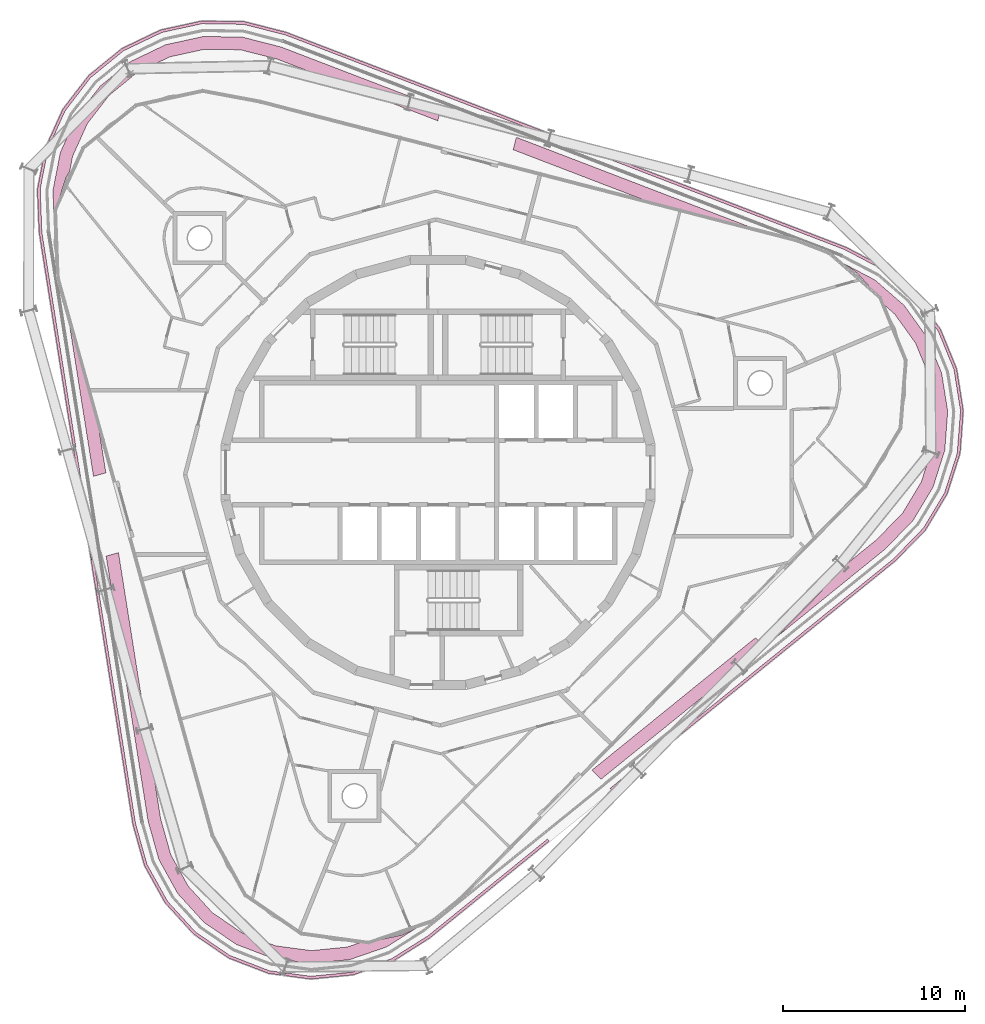
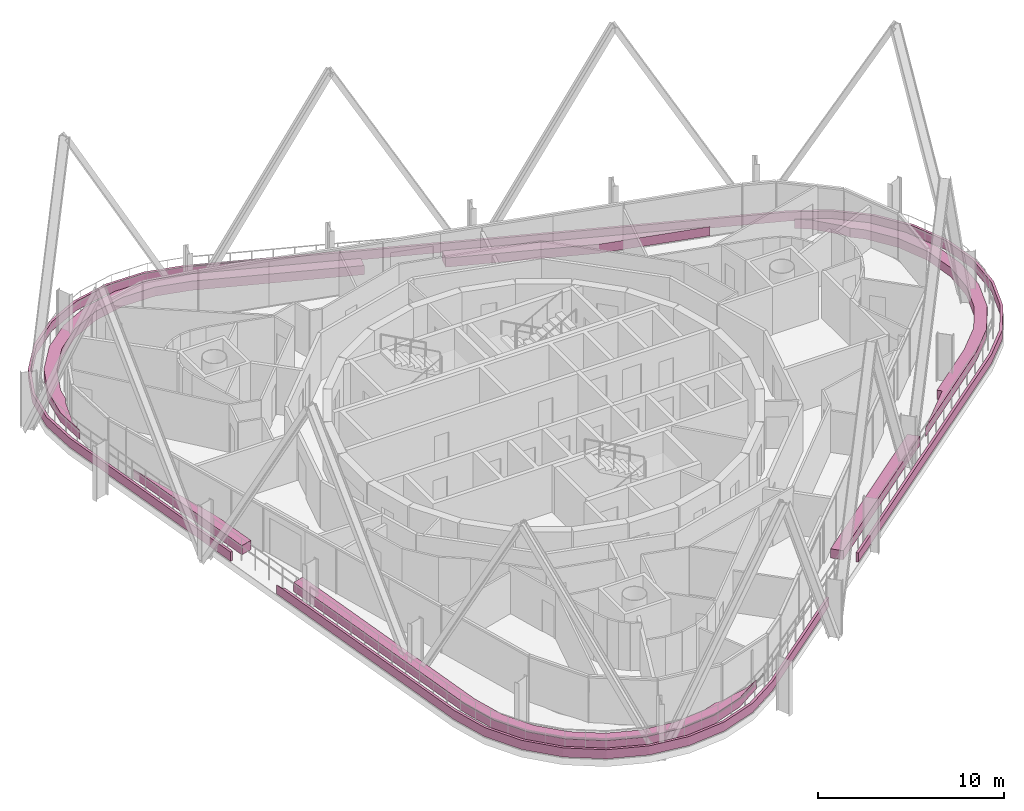
# One storey, part 18 of 18: 8 furniture elements.
"""IFC4 building model written with IfcOpenShell, lengths in metres."""

from ifc_helpers import new_model, si_unit, direction, frame, origin, place, context, subcontext, project, spatial, polyline, outline, extrude, element, save


model = new_model("IFC4")

# Units and contexts
model_context = context("Model", 3, precision=1e-05, world=origin(), true_north=direction((0.0, 1.0)))
body_context = subcontext(model_context, "Body", "Model", "MODEL_VIEW")
ifc_project = project(units=[si_unit("LENGTHUNIT", "METRE"), si_unit("AREAUNIT", "SQUARE_METRE"), si_unit("VOLUMEUNIT", "CUBIC_METRE"), si_unit("PLANEANGLEUNIT", "RADIAN"), si_unit("MASSUNIT", "GRAM", prefix="KILO")], contexts=[model_context])

# Site, building, storey
site_placement = place(None, origin())
site = spatial("IfcSite", under=ifc_project, at=site_placement, CompositionType="ELEMENT")
building_placement = place(site_placement, origin())
building = spatial("IfcBuilding", under=site, at=building_placement, Name="Spindle Arch Residences", CompositionType="ELEMENT")
storey_placement = place(building_placement, frame((0.0, 0.0, 298.199951171875)))
storey = spatial("IfcBuildingStorey", under=building, at=storey_placement, Name="L76", CompositionType="ELEMENT", Elevation=298.199951171875)

# Furniture
furniture_1_placement = place(storey_placement, frame((0.0, 0.0, 0.030029296875)))
element("IfcFurniture", 1, at=furniture_1_placement, inside=storey, Name="PLANTER L75 1", ObjectType="PLANTER", PredefinedType="USERDEFINED", context=body_context, shape_type="SweptSolid", body=[
    extrude(outline(polyline([(-4.659912109375, -27.54931640625), (-6.98193359375, -27.77978515625), (-9.29443359375, -27.468505859375), (-11.472900390625, -26.63232421875), (-13.399658203125, -25.316162109375), (-14.97119140625, -23.59130859375), (-16.102294921875, -21.550537109375), (-16.7333984375, -19.301025390625), (-19.107421875, -4.311279296875), (-18.971923828125, -4.799560546875), (-18.882080078125, -4.774658203125), (-16.589599609375, -19.248779296875), (-15.96142578125, -21.489501953125), (-14.82080078125, -23.533447265625), (-13.296875, -25.202392578125), (-11.43408203125, -26.47705078125), (-9.25927734375, -27.319091796875), (-6.982177734375, -27.626220703125), (-4.695556640625, -27.400146484375), (-2.557861328125, -26.6669921875), (-0.5537109375, -25.406982421875), (5.996826171875, -20.102783203125), (6.1044921875, -20.20849609375), (-0.479736328125, -25.540283203125), (-2.45361328125, -26.789794921875), (-4.659912109375, -27.54931640625)])), origin(), (0.0, 0.0, 1.0), 0.60009765625),
])
furniture_2_placement = place(storey_placement, frame((0.0, 0.0, 0.030029296875)))
element("IfcFurniture", 2, at=furniture_2_placement, inside=storey, Name="PLANTER L75 2", ObjectType="PLANTER", PredefinedType="USERDEFINED", context=body_context, shape_type="SweptSolid", body=[
    extrude(outline(polyline([(-21.878662109375, 13.185546875), (-21.9736328125, 15.519775390625), (-21.528564453125, 17.810302734375), (-20.567138671875, 19.9365234375), (-19.14111328125, 21.783447265625), (-17.327880859375, 23.251953125), (-15.224609375, 24.2626953125), (-12.945068359375, 24.760986328125), (-10.612060546875, 24.72021484375), (-8.348388671875, 24.141845703125), (22.358154296875, 12.354736328125), (24.427490234375, 11.27001953125), (26.1884765625, 9.739013671875), (27.549072265625, 7.84326171875), (28.435546875, 5.68505859375), (28.80078125, 3.38037109375), (28.624267578125, 1.0537109375), (27.916259765625, -1.169677734375), (26.71435546875, -3.169921875), (25.081787109375, -4.841064453125), (9.5458984375, -17.421630859375), (9.438232421875, -17.315673828125), (24.96484375, -4.74267578125), (26.615966796875, -3.04248046875), (27.775146484375, -1.109130859375), (28.463623046875, 1.04345703125), (28.647216796875, 3.376953125), (28.28857421875, 5.640869140625), (27.432373046875, 7.732421875), (26.048095703125, 9.662109375), (24.33837890625, 11.144775390625), (22.27734375, 12.22509765625), (-8.375, 23.991455078125), (-10.673095703125, 24.5712890625), (-12.932861328125, 24.60791015625), (-15.135498046875, 24.128662109375), (-17.2431640625, 23.123779296875), (-19.05810546875, 21.6455078125), (-20.454345703125, 19.8212890625), (-21.383056640625, 17.760986328125), (-21.8154296875, 15.548583984375), (-21.725830078125, 13.18017578125), (-19.574951171875, -0.400634765625), (-19.720458984375, -0.441162109375), (-21.878662109375, 13.185546875)])), origin(), (0.0, 0.0, 1.0), 0.60009765625),
])
furniture_3_placement = place(storey_placement, frame((0.0, 0.0, 0.030029296875)))
element("IfcFurniture", 3, at=furniture_3_placement, inside=storey, Name="PLANTER L75 3", ObjectType="PLANTER", PredefinedType="USERDEFINED", context=body_context, shape_type="SweptSolid", body=[
    extrude(outline(polyline([(23.94482421875, 10.563232421875), (25.555908203125, 9.162841796875), (26.800537109375, 7.428466796875), (27.611572265625, 5.453857421875), (27.945556640625, 3.345458984375), (27.784423828125, 1.216796875), (27.136474609375, -0.817138671875), (26.037109375, -2.64697265625), (24.50830078125, -4.21142578125), (18.55029296875, -9.036376953125), (21.058349609375, -6.484130859375), (20.846435546875, -6.276123046875), (24.033935546875, -3.695068359375), (25.47900390625, -2.216064453125), (26.494140625, -0.526611328125), (27.0908203125, 1.345703125), (27.240478515625, 3.322509765625), (26.932861328125, 5.263427734375), (26.183837890625, 7.086669921875), (25.03466796875, 8.68798828125), (24.39990234375, 9.239990234375), (24.212646484375, 9.577392578125), (22.965576171875, 10.954345703125), (22.2255859375, 11.464599609375), (23.94482421875, 10.563232421875)])), origin(), (0.0, 0.0, 1.0), 0.60009765625),
])
furniture_4_placement = place(storey_placement, frame((0.0, 0.0, 0.030029296875)))
element("IfcFurniture", 4, at=furniture_4_placement, inside=storey, Name="PLANTER L75 4", ObjectType="PLANTER", PredefinedType="USERDEFINED", context=body_context, shape_type="SweptSolid", body=[
    extrude(outline(polyline([(8.935791015625, -16.822021484375), (8.433349609375, -16.328125), (17.405029296875, -9.06298828125), (17.907470703125, -9.556884765625), (8.935791015625, -16.822021484375)])), origin(), (0.0, 0.0, 1.0), 0.60009765625),
])
furniture_5_placement = place(storey_placement, frame((0.0, 0.0, 0.030029296875)))
element("IfcFurniture", 5, at=furniture_5_placement, inside=storey, Name="PLANTER L75 5", ObjectType="PLANTER", PredefinedType="USERDEFINED", context=body_context, shape_type="SweptSolid", body=[
    extrude(outline(polyline([(-21.120361328125, 15.455078125), (-20.713134765625, 17.550537109375), (-19.83349609375, 19.49560546875), (-18.529052734375, 21.185546875), (-16.8701171875, 22.52880859375), (-14.946044921875, 23.453369140625), (-12.860595703125, 23.909423828125), (-10.726318359375, 23.8720703125), (-8.60693359375, 23.33056640625), (0.158935546875, 19.9658203125), (-0.017333984375, 19.28369140625), (-8.822509765625, 22.663330078125), (-10.8203125, 23.17333984375), (-12.796630859375, 23.206787109375), (-14.716552734375, 22.786865234375), (-16.48779296875, 21.935791015625), (-18.028564453125, 20.688232421875), (-19.22900390625, 19.132568359375), (-20.0390625, 17.342041015625), (-20.2021484375, 16.5107421875), (-20.400634765625, 16.179931640625), (-20.969482421875, 14.411865234375), (-21.041259765625, 13.515625), (-21.120361328125, 15.455078125)])), origin(), (0.0, 0.0, 1.0), 0.60009765625),
])
furniture_6_placement = place(storey_placement, frame((0.0, 0.0, 0.030029296875)))
element("IfcFurniture", 6, at=furniture_6_placement, inside=storey, Name="PLANTER L75 6", ObjectType="PLANTER", PredefinedType="USERDEFINED", context=body_context, shape_type="SweptSolid", body=[
    extrude(outline(polyline([(17.930908203125, 13.143798828125), (11.9443359375, 14.69189453125), (4.116943359375, 17.696533203125), (4.29345703125, 18.378662109375), (17.930908203125, 13.143798828125)])), origin(), (0.0, 0.0, 1.0), 0.60009765625),
])
furniture_7_placement = place(storey_placement, frame((0.0, 0.0, 0.030029296875)))
element("IfcFurniture", 7, at=furniture_7_placement, inside=storey, Name="PLANTER L75 7", ObjectType="PLANTER", PredefinedType="USERDEFINED", context=body_context, shape_type="SweptSolid", body=[
    extrude(outline(polyline([(-18.217041015625, -0.024169921875), (-18.89599609375, -0.21240234375), (-20.34814453125, 8.956787109375), (-18.69580078125, 2.998046875), (-18.217041015625, -0.024169921875)])), origin(), (0.0, 0.0, 1.0), 0.60009765625),
])
furniture_8_placement = place(storey_placement, frame((0.0, 0.0, 0.030029296875)))
element("IfcFurniture", 8, at=furniture_8_placement, inside=storey, Name="PLANTER L75 8", ObjectType="PLANTER", PredefinedType="USERDEFINED", context=body_context, shape_type="SweptSolid", body=[
    extrude(outline(polyline([(-15.217041015625, -18.966552734375), (-14.658447265625, -20.957275390625), (-13.703125, -22.68115234375), (-12.375732421875, -24.13818359375), (-10.742919921875, -25.252197265625), (-8.907958984375, -25.956298828125), (-6.95458984375, -26.21923828125), (-4.993408203125, -26.024658203125), (-4.19775390625, -25.7509765625), (-3.81201171875, -25.757568359375), (-1.99609375, -25.365966796875), (-1.18408203125, -24.980224609375), (-2.824462890625, -26.018310546875), (-4.8427734375, -26.71337890625), (-6.967041015625, -26.924072265625), (-9.08251953125, -26.639404296875), (-11.075439453125, -25.874267578125), (-12.83837890625, -24.67041015625), (-14.27587890625, -23.09228515625), (-15.310791015625, -21.225341796875), (-15.9013671875, -19.119140625), (-18.203125, -4.58642578125), (-17.5244140625, -4.398193359375), (-15.217041015625, -18.966552734375)])), origin(), (0.0, 0.0, 1.0), 0.60009765625),
])

save(model, "model.ifc")
